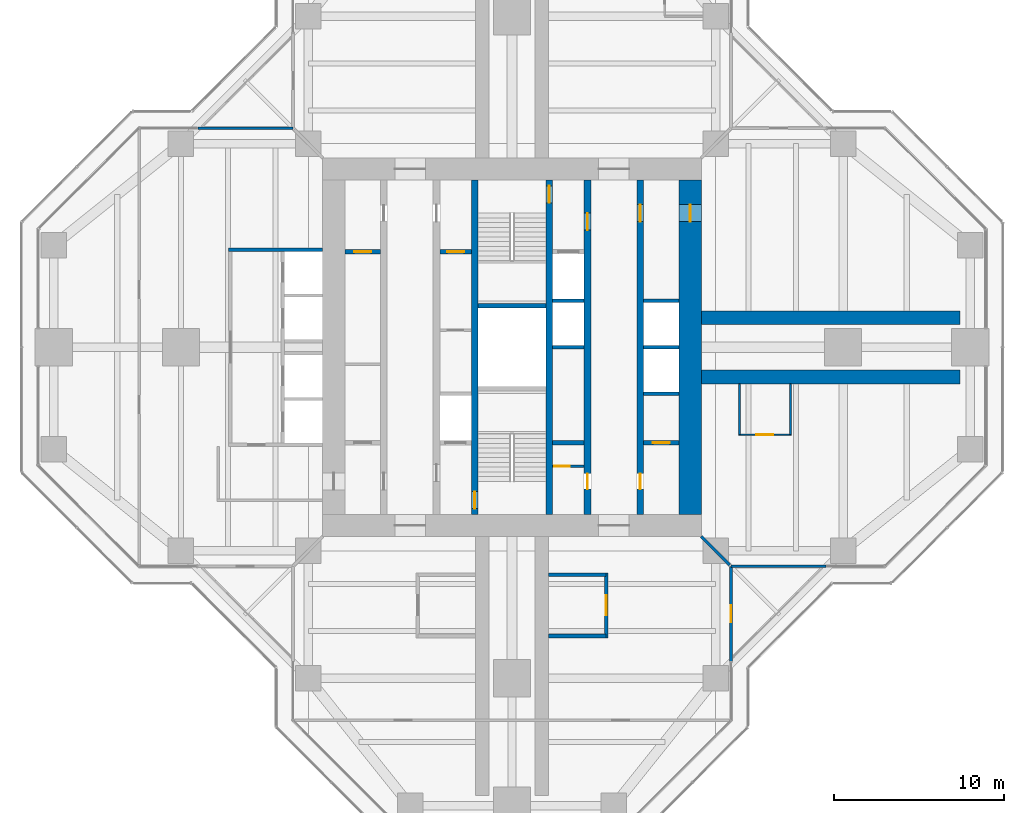
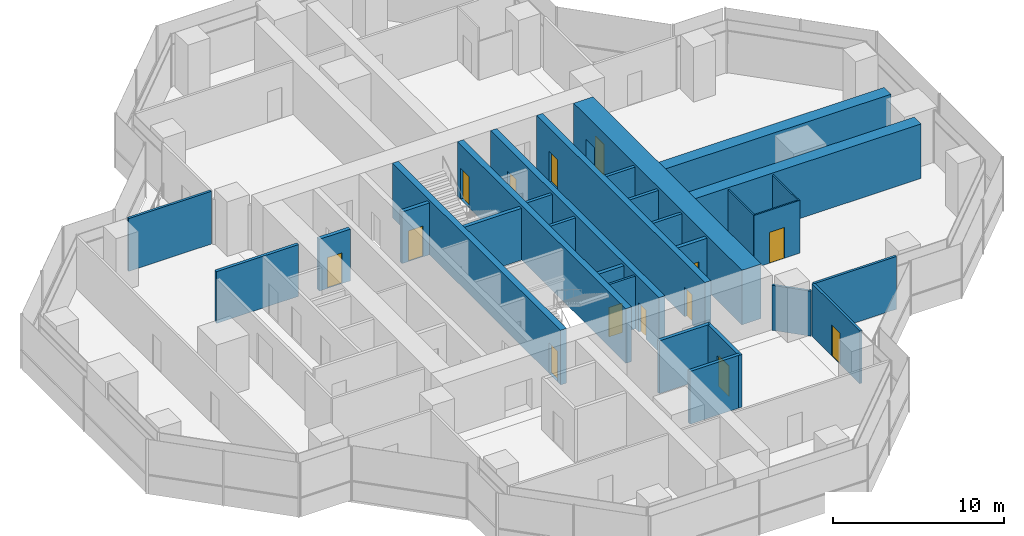
# One storey, part 14 of 17: 29 walls, 14 doors, 14 openings.
"""IFC4 building model written with IfcOpenShell, lengths in metres."""

from ifc_helpers import new_model, si_unit, direction, frame, frame_2d, origin, place, context, subcontext, project, spatial, rectangle, extrude, material, layer, layer_set, type_object, element, fill, save


model = new_model("IFC4")

# Units and contexts
model_context = context("Model", 3, precision=1e-05, world=origin(), true_north=direction((0.0, 1.0)))
body_context = subcontext(model_context, "Body", "Model", "MODEL_VIEW")
ifc_project = project(units=[si_unit("LENGTHUNIT", "METRE"), si_unit("AREAUNIT", "SQUARE_METRE"), si_unit("VOLUMEUNIT", "CUBIC_METRE"), si_unit("PLANEANGLEUNIT", "RADIAN"), si_unit("MASSUNIT", "GRAM", prefix="KILO")], contexts=[model_context])

# Site, building, storey
site_placement = place(None, origin())
site = spatial("IfcSite", under=ifc_project, at=site_placement, CompositionType="ELEMENT")
building_placement = place(site_placement, origin())
building = spatial("IfcBuilding", under=site, at=building_placement, Name="Mizan Broadcast Tower", CompositionType="ELEMENT")
storey_placement = place(building_placement, frame((0.0, 0.0, 216.60009765625)))
storey = spatial("IfcBuildingStorey", under=building, at=storey_placement, Name="L50", CompositionType="ELEMENT", Elevation=216.60009765625)

# Wall, openings, doors
ifc_material_1 = material(Name="Concrete C70/85", Category="concrete")
ifc_layer_1 = layer(ifc_material_1, 0.39990234375)
ifc_layer_set_1 = layer_set([ifc_layer_1], Name="Concrete C70/85")
wall_type_1 = type_object("IfcWallType", Name="CORE INTERNAL WALL 400", PredefinedType="SHEAR", material=ifc_layer_set_1)
wall_1_placement = place(storey_placement, frame((7.550048828125, 9.85009765625, 0.0), z_axis=(0.0, 0.0, 1.0), x_axis=(0.0, -1.0, 0.0)))
wall_1 = element("IfcWall", 1, at=wall_1_placement, inside=storey, type_object=wall_type_1, Name="Core wall CORE/XW1E", PredefinedType="SHEAR", context=body_context, shape_type="SweptSolid", body=[
    extrude(rectangle(XDim=19.7001953125, YDim=0.39990234375, at=frame_2d((9.85009765625, 0.0))), origin(), (0.0, 0.0, 1.0), 3.89990234375),
])
opening_1_placement = place(wall_1_placement, frame((1.449951171875, 0.0, 0.0)))
opening_1 = element("IfcOpeningElement", 2, at=opening_1_placement, cuts=wall_1, Name="Opening D10F", PredefinedType="OPENING", context=body_context, shape_type="SweptSolid", body=[
    extrude(rectangle(XDim=1.0, YDim=2.199951171875, at=frame_2d((0.5, 1.10009765625))), frame((0.0, 0.2099609375, 0.0), z_axis=(0.0, -1.0, 0.0), x_axis=(1.0, 0.0, 0.0)), (0.0, 0.0, 1.0), 0.419921875),
])
opening_2_placement = place(wall_1_placement, frame((17.300048828125, 0.0, 0.0)))
opening_2 = element("IfcOpeningElement", 3, at=opening_2_placement, cuts=wall_1, Name="Opening D09", PredefinedType="OPENING", context=body_context, shape_type="SweptSolid", body=[
    extrude(rectangle(XDim=0.89990234375, YDim=2.10009765625, at=frame_2d((0.449951171875, 1.050048828125))), frame((0.0, 0.2099609375, 0.0), z_axis=(0.0, -1.0, 0.0), x_axis=(1.0, 0.0, 0.0)), (0.0, 0.0, 1.0), 0.419921875),
])
ifc_material_2 = material(Name="Steel door leaf in steel frame", Category="steel")
door_type_1 = type_object("IfcDoorType", Name="FIRE DOOR 1000 FD90", OperationType="SINGLE_SWING_LEFT", PredefinedType="DOOR", material=ifc_material_2)
door_1_placement = place(opening_1_placement, origin())
door_1 = element("IfcDoor", 4, at=door_1_placement, inside=storey, type_object=door_type_1, Name="East core passage door", OperationType="SINGLE_SWING_LEFT", OverallHeight=2.199951171875, OverallWidth=1.0, PredefinedType="DOOR", context=body_context, shape_type="SweptSolid", body=[
    extrude(rectangle(XDim=1.0, YDim=2.199951171875, at=frame_2d((0.5, 1.10009765625))), frame((0.0, 0.02490234375, 0.0), z_axis=(0.0, -1.0, 0.0), x_axis=(1.0, 0.0, 0.0)), (0.0, 0.0, 1.0), 0.050048828125),
])
fill(opening_1, door_1)
ifc_material_3 = material(Name="Timber door leaf in aluminium frame", Category="wood")
door_type_2 = type_object("IfcDoorType", Name="TOILET DOOR 900", OperationType="SINGLE_SWING_LEFT", PredefinedType="DOOR", material=ifc_material_3)
door_2_placement = place(opening_2_placement, origin())
door_2 = element("IfcDoor", 5, at=door_2_placement, inside=storey, type_object=door_type_2, Name="Female WC door", OperationType="SINGLE_SWING_RIGHT", OverallHeight=2.10009765625, OverallWidth=0.89990234375, PredefinedType="DOOR", context=body_context, shape_type="SweptSolid", body=[
    extrude(rectangle(XDim=0.89990234375, YDim=2.10009765625, at=frame_2d((0.449951171875, 1.050048828125))), frame((0.0, 0.02490234375, 0.0), z_axis=(0.0, -1.0, 0.0), x_axis=(1.0, 0.0, 0.0)), (0.0, 0.0, 1.0), 0.050048828125),
])
fill(opening_2, door_2)

wall_2_placement = place(storey_placement, frame((4.449951171875, 9.85009765625, 0.0), z_axis=(0.0, 0.0, 1.0), x_axis=(0.0, -1.0, 0.0)))
wall_2 = element("IfcWall", 6, at=wall_2_placement, inside=storey, type_object=wall_type_1, Name="Core wall CORE/XWHE", PredefinedType="SHEAR", context=body_context, shape_type="SweptSolid", body=[
    extrude(rectangle(XDim=19.7001953125, YDim=0.39990234375, at=frame_2d((9.85009765625, 0.0))), origin(), (0.0, 0.0, 1.0), 3.89990234375),
])
opening_3_placement = place(wall_2_placement, frame((1.949951171875, 0.0, 0.0)))
opening_3 = element("IfcOpeningElement", 7, at=opening_3_placement, cuts=wall_2, Name="Opening D10F", PredefinedType="OPENING", context=body_context, shape_type="SweptSolid", body=[
    extrude(rectangle(XDim=1.0, YDim=2.199951171875, at=frame_2d((0.5, 1.10009765625))), frame((0.0, 0.2099609375, 0.0), z_axis=(0.0, -1.0, 0.0), x_axis=(1.0, 0.0, 0.0)), (0.0, 0.0, 1.0), 0.419921875),
])
opening_4_placement = place(wall_2_placement, frame((17.300048828125, 0.0, 0.0)))
opening_4 = element("IfcOpeningElement", 8, at=opening_4_placement, cuts=wall_2, Name="Opening D09", PredefinedType="OPENING", context=body_context, shape_type="SweptSolid", body=[
    extrude(rectangle(XDim=0.89990234375, YDim=2.10009765625, at=frame_2d((0.449951171875, 1.050048828125))), frame((0.0, 0.2099609375, 0.0), z_axis=(0.0, -1.0, 0.0), x_axis=(1.0, 0.0, 0.0)), (0.0, 0.0, 1.0), 0.419921875),
])
door_3_placement = place(opening_3_placement, origin())
door_3 = element("IfcDoor", 9, at=door_3_placement, inside=storey, type_object=door_type_1, Name="Firefighting lobby B door", OperationType="SINGLE_SWING_LEFT", OverallHeight=2.199951171875, OverallWidth=1.0, PredefinedType="DOOR", context=body_context, shape_type="SweptSolid", body=[
    extrude(rectangle(XDim=1.0, YDim=2.199951171875, at=frame_2d((0.5, 1.10009765625))), frame((0.0, 0.02490234375, 0.0), z_axis=(0.0, -1.0, 0.0), x_axis=(1.0, 0.0, 0.0)), (0.0, 0.0, 1.0), 0.050048828125),
])
fill(opening_3, door_3)
door_4_placement = place(opening_4_placement, origin())
door_4 = element("IfcDoor", 10, at=door_4_placement, inside=storey, type_object=door_type_2, Name="Cleaner's store door", OperationType="SINGLE_SWING_RIGHT", OverallHeight=2.10009765625, OverallWidth=0.89990234375, PredefinedType="DOOR", context=body_context, shape_type="SweptSolid", body=[
    extrude(rectangle(XDim=0.89990234375, YDim=2.10009765625, at=frame_2d((0.449951171875, 1.050048828125))), frame((0.0, 0.02490234375, 0.0), z_axis=(0.0, -1.0, 0.0), x_axis=(1.0, 0.0, 0.0)), (0.0, 0.0, 1.0), 0.050048828125),
])
fill(opening_4, door_4)

# Wall, opening, door
wall_3_placement = place(storey_placement, frame((-2.199951171875, -9.85009765625, 0.0), z_axis=(0.0, 0.0, 1.0), x_axis=(0.0, 1.0, 0.0)))
wall_3 = element("IfcWall", 11, at=wall_3_placement, inside=storey, type_object=wall_type_1, Name="Core wall CORE/XW2", PredefinedType="SHEAR", context=body_context, shape_type="SweptSolid", body=[
    extrude(rectangle(XDim=19.7001953125, YDim=0.39990234375, at=frame_2d((9.85009765625, 0.0))), origin(), (0.0, 0.0, 1.0), 3.89990234375),
])
opening_5_placement = place(wall_3_placement, frame((0.35009765625, 0.0, 0.0)))
opening_5 = element("IfcOpeningElement", 12, at=opening_5_placement, cuts=wall_3, Name="Opening D10S", PredefinedType="OPENING", context=body_context, shape_type="SweptSolid", body=[
    extrude(rectangle(XDim=1.0, YDim=2.199951171875, at=frame_2d((0.5, 1.10009765625))), frame((0.0, 0.2099609375, 0.0), z_axis=(0.0, -1.0, 0.0), x_axis=(1.0, 0.0, 0.0)), (0.0, 0.0, 1.0), 0.419921875),
])
ifc_material_4 = material(Name="Steel door leaf in steel frame", Category="steel")
door_type_3 = type_object("IfcDoorType", Name="STAIR DOOR 1000 FD90S", OperationType="SINGLE_SWING_RIGHT", PredefinedType="DOOR", material=ifc_material_4)
door_5_placement = place(opening_5_placement, origin())
door_5 = element("IfcDoor", 13, at=door_5_placement, inside=storey, type_object=door_type_3, Name="Stair A door", OperationType="SINGLE_SWING_RIGHT", OverallHeight=2.199951171875, OverallWidth=1.0, PredefinedType="DOOR", context=body_context, shape_type="SweptSolid", body=[
    extrude(rectangle(XDim=1.0, YDim=2.199951171875, at=frame_2d((0.5, 1.10009765625))), frame((0.0, 0.02490234375, 0.0), z_axis=(0.0, -1.0, 0.0), x_axis=(1.0, 0.0, 0.0)), (0.0, 0.0, 1.0), 0.050048828125),
])
fill(opening_5, door_5)

wall_4_placement = place(storey_placement, frame((2.199951171875, 9.85009765625, 0.0), z_axis=(0.0, 0.0, 1.0), x_axis=(0.0, -1.0, 0.0)))
wall_4 = element("IfcWall", 14, at=wall_4_placement, inside=storey, type_object=wall_type_1, Name="Core wall CORE/XW2E", PredefinedType="SHEAR", context=body_context, shape_type="SweptSolid", body=[
    extrude(rectangle(XDim=19.7001953125, YDim=0.39990234375, at=frame_2d((9.85009765625, 0.0))), origin(), (0.0, 0.0, 1.0), 3.89990234375),
])
opening_6_placement = place(wall_4_placement, frame((0.35009765625, 0.0, 0.0)))
opening_6 = element("IfcOpeningElement", 15, at=opening_6_placement, cuts=wall_4, Name="Opening D10S", PredefinedType="OPENING", context=body_context, shape_type="SweptSolid", body=[
    extrude(rectangle(XDim=1.0, YDim=2.199951171875, at=frame_2d((0.5, 1.10009765625))), frame((0.0, 0.2099609375, 0.0), z_axis=(0.0, -1.0, 0.0), x_axis=(1.0, 0.0, 0.0)), (0.0, 0.0, 1.0), 0.419921875),
])
door_6_placement = place(opening_6_placement, origin())
door_6 = element("IfcDoor", 16, at=door_6_placement, inside=storey, type_object=door_type_3, Name="Stair B door", OperationType="SINGLE_SWING_RIGHT", OverallHeight=2.199951171875, OverallWidth=1.0, PredefinedType="DOOR", context=body_context, shape_type="SweptSolid", body=[
    extrude(rectangle(XDim=1.0, YDim=2.199951171875, at=frame_2d((0.5, 1.10009765625))), frame((0.0, 0.02490234375, 0.0), z_axis=(0.0, -1.0, 0.0), x_axis=(1.0, 0.0, 0.0)), (0.0, 0.0, 1.0), 0.050048828125),
])
fill(opening_6, door_6)

ifc_material_5 = material(Name="Concrete blockwork", Category="masonry")
ifc_layer_2 = layer(ifc_material_5, 0.14990234375)
ifc_layer_set_2 = layer_set([ifc_layer_2], Name="Concrete blockwork")
wall_type_2 = type_object("IfcWallType", Name="CORE PARTITION 150", PredefinedType="SOLIDWALL", material=ifc_layer_set_2)
wall_5_placement = place(storey_placement, frame((2.39990234375, -7.0, 0.0), z_axis=(0.0, 0.0, 1.0), x_axis=(1.0, 0.0, 0.0)))
wall_5 = element("IfcWall", 17, at=wall_5_placement, inside=storey, type_object=wall_type_2, Name="Core partition CORE/XPC", PredefinedType="SOLIDWALL", context=body_context, shape_type="SweptSolid", body=[
    extrude(rectangle(XDim=1.85009765625, YDim=0.14990234375, at=frame_2d((0.925048828125, 0.0))), origin(), (0.0, 0.0, 1.0), 3.77001953125),
])
opening_7_placement = place(wall_5_placement, frame((0.10009765625, 0.0, 0.0)))
opening_7 = element("IfcOpeningElement", 18, at=opening_7_placement, cuts=wall_5, Name="Opening D09F", PredefinedType="OPENING", context=body_context, shape_type="SweptSolid", body=[
    extrude(rectangle(XDim=0.89990234375, YDim=2.10009765625, at=frame_2d((0.449951171875, 1.050048828125))), frame((0.0, 0.0849609375, 0.0), z_axis=(0.0, -1.0, 0.0), x_axis=(1.0, 0.0, 0.0)), (0.0, 0.0, 1.0), 0.169921875),
])
ifc_material_6 = material(Name="Steel door leaf in steel frame", Category="steel")
door_type_4 = type_object("IfcDoorType", Name="CORE ROOM DOOR 900 FD90", OperationType="SINGLE_SWING_LEFT", PredefinedType="DOOR", material=ifc_material_6)
door_7_placement = place(opening_7_placement, origin())
door_7 = element("IfcDoor", 19, at=door_7_placement, inside=storey, type_object=door_type_4, Name="Cleaning materials store door", OperationType="SINGLE_SWING_LEFT", OverallHeight=2.10009765625, OverallWidth=0.89990234375, PredefinedType="DOOR", context=body_context, shape_type="SweptSolid", body=[
    extrude(rectangle(XDim=0.89990234375, YDim=2.10009765625, at=frame_2d((0.449951171875, 1.050048828125))), frame((0.0, 0.02490234375, 0.0), z_axis=(0.0, -1.0, 0.0), x_axis=(1.0, 0.0, 0.0)), (0.0, 0.0, 1.0), 0.050048828125),
])
fill(opening_7, door_7)

ifc_material_7 = material(Name="Concrete C70/85", Category="concrete")
ifc_layer_3 = layer(ifc_material_7, 1.300048828125)
ifc_layer_set_3 = layer_set([ifc_layer_3], Name="Concrete C70/85")
wall_type_3 = type_object("IfcWallType", Name="CORE WALL 1300", PredefinedType="SHEAR", material=ifc_layer_set_3)
wall_6_placement = place(storey_placement, frame((10.5, -9.85009765625, 0.0), z_axis=(0.0, 0.0, 1.0), x_axis=(0.0, 1.0, 0.0)))
wall_6 = element("IfcWall", 20, at=wall_6_placement, inside=storey, type_object=wall_type_3, Name="Core wall E L50", PredefinedType="SHEAR", context=body_context, shape_type="SweptSolid", body=[
    extrude(rectangle(XDim=19.7001953125, YDim=1.300048828125, at=frame_2d((9.85009765625, 0.0))), origin(), (0.0, 0.0, 1.0), 3.89990234375),
])
opening_8_placement = place(wall_6_placement, frame((17.25, 0.0, 0.0)))
opening_8 = element("IfcOpeningElement", 21, at=opening_8_placement, cuts=wall_6, Name="Opening D10F", PredefinedType="OPENING", context=body_context, shape_type="SweptSolid", body=[
    extrude(rectangle(XDim=1.0, YDim=2.199951171875, at=frame_2d((0.5, 1.10009765625))), frame((0.0, 0.659912109375, 0.0), z_axis=(0.0, -1.0, 0.0), x_axis=(1.0, 0.0, 0.0)), (0.0, 0.0, 1.0), 1.320068359375),
])
door_8_placement = place(opening_8_placement, origin())
door_8 = element("IfcDoor", 22, at=door_8_placement, inside=storey, type_object=door_type_1, Name="East core passage arm door", OperationType="SINGLE_SWING_RIGHT", OverallHeight=2.199951171875, OverallWidth=1.0, PredefinedType="DOOR", context=body_context, shape_type="SweptSolid", body=[
    extrude(rectangle(XDim=1.0, YDim=2.199951171875, at=frame_2d((0.5, 1.10009765625))), frame((0.0, 0.02490234375, 0.0), z_axis=(0.0, -1.0, 0.0), x_axis=(1.0, 0.0, 0.0)), (0.0, 0.0, 1.0), 0.050048828125),
])
fill(opening_8, door_8)

# Walls
ifc_material_8 = material(Name="Aluminium framed glazed screen", Category="aluminium")
ifc_layer_4 = layer(ifc_material_8, 0.159912109375)
ifc_layer_set_4 = layer_set([ifc_layer_4], Name="Aluminium framed glazed screen")
wall_type_4 = type_object("IfcWallType", Name="GLAZED SCREEN WALL 160", PredefinedType="SOLIDWALL", material=ifc_layer_set_4)
for number, where, z_axis, x_axis, name in (
    (23, (12.89990234375, -12.89990234375, 0.0), (0.0, 0.0, 1.0), (1.0, 0.0, 0.0), "Winter garden screen L50 E"),
    (24, (-12.89990234375, 12.89990234375, 0.0), (0.0, 0.0, 1.0), (-1.0, 0.0, 0.0), "Winter garden screen L50 W"),
):
    element("IfcWall", number, at=place(storey_placement, frame(where, z_axis=z_axis, x_axis=x_axis)), inside=storey, type_object=wall_type_4, Name=name, PredefinedType="SOLIDWALL", context=body_context, shape_type="SweptSolid", body=[
        extrude(rectangle(XDim=5.60009765625, YDim=0.159912109375, at=frame_2d((2.800048828125, 0.0))), origin(), (0.0, 0.0, 1.0), 3.77001953125),
    ])

# Wall, opening, door
wall_7_placement = place(storey_placement, frame((12.89990234375, -18.5, 0.0), z_axis=(0.0, 0.0, 1.0), x_axis=(0.0, 1.0, 0.0)))
wall_7 = element("IfcWall", 25, at=wall_7_placement, inside=storey, type_object=wall_type_4, Name="Winter garden screen L50 S", PredefinedType="SOLIDWALL", context=body_context, shape_type="SweptSolid", body=[
    extrude(rectangle(XDim=5.60009765625, YDim=0.159912109375, at=frame_2d((2.800048828125, 0.0))), origin(), (0.0, 0.0, 1.0), 3.77001953125),
])
opening_9_placement = place(wall_7_placement, frame((2.300048828125, 0.0, 0.0)))
opening_9 = element("IfcOpeningElement", 26, at=opening_9_placement, cuts=wall_7, Name="Opening WGD", PredefinedType="OPENING", context=body_context, shape_type="SweptSolid", body=[
    extrude(rectangle(XDim=1.0, YDim=2.199951171875, at=frame_2d((0.5, 1.10009765625))), frame((0.0, 0.08984375, 0.0), z_axis=(0.0, -1.0, 0.0), x_axis=(1.0, 0.0, 0.0)), (0.0, 0.0, 1.0), 0.179931640625),
])
ifc_material_9 = material(Name="Aluminium framed glazed door", Category="aluminium")
door_type_5 = type_object("IfcDoorType", Name="WINTER GARDEN DOOR 1000 GLAZED", OperationType="SINGLE_SWING_LEFT", PredefinedType="DOOR", material=ifc_material_9)
door_9_placement = place(opening_9_placement, origin())
door_9 = element("IfcDoor", 27, at=door_9_placement, inside=storey, type_object=door_type_5, Name="Winter garden door L50 S", OperationType="SINGLE_SWING_RIGHT", OverallHeight=2.199951171875, OverallWidth=1.0, PredefinedType="DOOR", context=body_context, shape_type="SweptSolid", body=[
    extrude(rectangle(XDim=1.0, YDim=2.199951171875, at=frame_2d((0.5, 1.10009765625))), frame((0.0, 0.02490234375, 0.0), z_axis=(0.0, -1.0, 0.0), x_axis=(1.0, 0.0, 0.0)), (0.0, 0.0, 1.0), 0.050048828125),
])
fill(opening_9, door_9)

# Walls
ifc_material_10 = material(Name="Concrete blockwork", Category="masonry")
ifc_layer_5 = layer(ifc_material_10, 0.199951171875)
ifc_layer_set_5 = layer_set([ifc_layer_5], Name="Concrete blockwork")
wall_type_5 = type_object("IfcWallType", Name="LIFT SHAFT WALL 200", PredefinedType="SOLIDWALL", material=ifc_layer_set_5)
wall_8_placement = place(storey_placement, frame((7.75, -2.75, 0.0), z_axis=(0.0, 0.0, 1.0), x_axis=(1.0, 0.0, 0.0)))
element("IfcWall", 28, at=wall_8_placement, inside=storey, type_object=wall_type_5, Name="Lift shaft wall CORE/SE1-1", PredefinedType="SOLIDWALL", context=body_context, shape_type="SweptSolid", body=[
    extrude(rectangle(XDim=2.10009765625, YDim=0.199951171875, at=frame_2d((1.050048828125, 0.0))), origin(), (0.0, 0.0, 1.0), 3.699951171875),
])
wall_9_placement = place(storey_placement, frame((2.39990234375, 0.0, 0.0), z_axis=(0.0, 0.0, 1.0), x_axis=(1.0, 0.0, 0.0)))
element("IfcWall", 29, at=wall_9_placement, inside=storey, type_object=wall_type_5, Name="Lift shaft wall CORE/SE2-2", PredefinedType="SOLIDWALL", context=body_context, shape_type="SweptSolid", body=[
    extrude(rectangle(XDim=1.85009765625, YDim=0.199951171875, at=frame_2d((0.925048828125, 0.0))), origin(), (0.0, 0.0, 1.0), 3.699951171875),
])
wall_10_placement = place(storey_placement, frame((7.75, 0.0, 0.0), z_axis=(0.0, 0.0, 1.0), x_axis=(1.0, 0.0, 0.0)))
element("IfcWall", 30, at=wall_10_placement, inside=storey, type_object=wall_type_5, Name="Lift shaft wall CORE/SE1-2", PredefinedType="SOLIDWALL", context=body_context, shape_type="SweptSolid", body=[
    extrude(rectangle(XDim=2.10009765625, YDim=0.199951171875, at=frame_2d((1.050048828125, 0.0))), origin(), (0.0, 0.0, 1.0), 3.699951171875),
])
wall_11_placement = place(storey_placement, frame((2.39990234375, 2.75, 0.0), z_axis=(0.0, 0.0, 1.0), x_axis=(1.0, 0.0, 0.0)))
element("IfcWall", 31, at=wall_11_placement, inside=storey, type_object=wall_type_5, Name="Lift shaft wall CORE/SE2-3", PredefinedType="SOLIDWALL", context=body_context, shape_type="SweptSolid", body=[
    extrude(rectangle(XDim=1.85009765625, YDim=0.199951171875, at=frame_2d((0.925048828125, 0.0))), origin(), (0.0, 0.0, 1.0), 3.699951171875),
])
wall_12_placement = place(storey_placement, frame((7.75, 2.75, 0.0), z_axis=(0.0, 0.0, 1.0), x_axis=(1.0, 0.0, 0.0)))
element("IfcWall", 32, at=wall_12_placement, inside=storey, type_object=wall_type_5, Name="Lift shaft wall CORE/SE1-3", PredefinedType="SOLIDWALL", context=body_context, shape_type="SweptSolid", body=[
    extrude(rectangle(XDim=2.10009765625, YDim=0.199951171875, at=frame_2d((1.050048828125, 0.0))), origin(), (0.0, 0.0, 1.0), 3.699951171875),
])
wall_13_placement = place(storey_placement, frame((-11.14990234375, 5.75, 0.0), z_axis=(0.0, 0.0, 1.0), x_axis=(-1.0, 0.0, 0.0)))
element("IfcWall", 33, at=wall_13_placement, inside=storey, type_object=wall_type_5, Name="Lift shaft wall LC/S1", PredefinedType="SOLIDWALL", context=body_context, shape_type="SweptSolid", body=[
    extrude(rectangle(XDim=5.550048828125, YDim=0.199951171875, at=frame_2d((2.77490234375, 0.0))), origin(), (0.0, 0.0, 1.0), 3.699951171875),
])

# Wall, opening, door
ifc_material_11 = material(Name="Concrete blockwork", Category="masonry")
ifc_layer_6 = layer(ifc_material_11, 0.25)
ifc_layer_set_6 = layer_set([ifc_layer_6], Name="Concrete blockwork")
wall_type_6 = type_object("IfcWallType", Name="LOBBY ENCLOSURE WALL 250", PredefinedType="SOLIDWALL", material=ifc_layer_set_6)
wall_14_placement = place(storey_placement, frame((-9.85009765625, 5.625, 0.0), z_axis=(0.0, 0.0, 1.0), x_axis=(1.0, 0.0, 0.0)))
wall_14 = element("IfcWall", 34, at=wall_14_placement, inside=storey, type_object=wall_type_6, Name="Lobby enclosure wall CORE/BW1N", PredefinedType="SOLIDWALL", context=body_context, shape_type="SweptSolid", body=[
    extrude(rectangle(XDim=2.10009765625, YDim=0.25, at=frame_2d((1.050048828125, 0.0))), origin(), (0.0, 0.0, 1.0), 3.699951171875),
])
opening_10_placement = place(wall_14_placement, frame((0.550048828125, 0.0, 0.0)))
opening_10 = element("IfcOpeningElement", 35, at=opening_10_placement, cuts=wall_14, Name="Opening D10F", PredefinedType="OPENING", context=body_context, shape_type="SweptSolid", body=[
    extrude(rectangle(XDim=1.0, YDim=2.199951171875, at=frame_2d((0.5, 1.10009765625))), frame((0.0, 0.135009765625, 0.0), z_axis=(0.0, -1.0, 0.0), x_axis=(1.0, 0.0, 0.0)), (0.0, 0.0, 1.0), 0.27001953125),
])
door_10_placement = place(opening_10_placement, origin())
door_10 = element("IfcDoor", 36, at=door_10_placement, inside=storey, type_object=door_type_1, Name="Staff changing room door", OperationType="SINGLE_SWING_RIGHT", OverallHeight=2.199951171875, OverallWidth=1.0, PredefinedType="DOOR", context=body_context, shape_type="SweptSolid", body=[
    extrude(rectangle(XDim=1.0, YDim=2.199951171875, at=frame_2d((0.5, 1.10009765625))), frame((0.0, 0.02490234375, 0.0), z_axis=(0.0, -1.0, 0.0), x_axis=(1.0, 0.0, 0.0)), (0.0, 0.0, 1.0), 0.050048828125),
])
fill(opening_10, door_10)

wall_15_placement = place(storey_placement, frame((-4.25, 5.625, 0.0), z_axis=(0.0, 0.0, 1.0), x_axis=(1.0, 0.0, 0.0)))
wall_15 = element("IfcWall", 37, at=wall_15_placement, inside=storey, type_object=wall_type_6, Name="Lobby enclosure wall CORE/BW2N", PredefinedType="SOLIDWALL", context=body_context, shape_type="SweptSolid", body=[
    extrude(rectangle(XDim=1.85009765625, YDim=0.25, at=frame_2d((0.925048828125, 0.0))), origin(), (0.0, 0.0, 1.0), 3.699951171875),
])
opening_11_placement = place(wall_15_placement, frame((0.425048828125, 0.0, 0.0)))
opening_11 = element("IfcOpeningElement", 38, at=opening_11_placement, cuts=wall_15, Name="Opening D10F", PredefinedType="OPENING", context=body_context, shape_type="SweptSolid", body=[
    extrude(rectangle(XDim=1.0, YDim=2.199951171875, at=frame_2d((0.5, 1.10009765625))), frame((0.0, 0.135009765625, 0.0), z_axis=(0.0, -1.0, 0.0), x_axis=(1.0, 0.0, 0.0)), (0.0, 0.0, 1.0), 0.27001953125),
])
door_11_placement = place(opening_11_placement, origin())
door_11 = element("IfcDoor", 39, at=door_11_placement, inside=storey, type_object=door_type_1, Name="Baby change room door", OperationType="SINGLE_SWING_RIGHT", OverallHeight=2.199951171875, OverallWidth=1.0, PredefinedType="DOOR", context=body_context, shape_type="SweptSolid", body=[
    extrude(rectangle(XDim=1.0, YDim=2.199951171875, at=frame_2d((0.5, 1.10009765625))), frame((0.0, 0.02490234375, 0.0), z_axis=(0.0, -1.0, 0.0), x_axis=(1.0, 0.0, 0.0)), (0.0, 0.0, 1.0), 0.050048828125),
])
fill(opening_11, door_11)

# Wall
wall_16_placement = place(storey_placement, frame((2.39990234375, -5.625, 0.0), z_axis=(0.0, 0.0, 1.0), x_axis=(1.0, 0.0, 0.0)))
element("IfcWall", 40, at=wall_16_placement, inside=storey, type_object=wall_type_6, Name="Lobby enclosure wall CORE/BE2S", PredefinedType="SOLIDWALL", context=body_context, shape_type="SweptSolid", body=[
    extrude(rectangle(XDim=1.85009765625, YDim=0.25, at=frame_2d((0.925048828125, 0.0))), origin(), (0.0, 0.0, 1.0), 3.699951171875),
])

# Wall, opening, door
wall_17_placement = place(storey_placement, frame((7.75, -5.625, 0.0), z_axis=(0.0, 0.0, 1.0), x_axis=(1.0, 0.0, 0.0)))
wall_17 = element("IfcWall", 41, at=wall_17_placement, inside=storey, type_object=wall_type_6, Name="Lobby enclosure wall CORE/BE1S", PredefinedType="SOLIDWALL", context=body_context, shape_type="SweptSolid", body=[
    extrude(rectangle(XDim=2.10009765625, YDim=0.25, at=frame_2d((1.050048828125, 0.0))), origin(), (0.0, 0.0, 1.0), 3.699951171875),
])
opening_12_placement = place(wall_17_placement, frame((0.550048828125, 0.0, 0.0)))
opening_12 = element("IfcOpeningElement", 42, at=opening_12_placement, cuts=wall_17, Name="Opening D10F", PredefinedType="OPENING", context=body_context, shape_type="SweptSolid", body=[
    extrude(rectangle(XDim=1.0, YDim=2.199951171875, at=frame_2d((0.5, 1.10009765625))), frame((0.0, 0.135009765625, 0.0), z_axis=(0.0, -1.0, 0.0), x_axis=(1.0, 0.0, 0.0)), (0.0, 0.0, 1.0), 0.27001953125),
])
door_12_placement = place(opening_12_placement, origin())
door_12 = element("IfcDoor", 43, at=door_12_placement, inside=storey, type_object=door_type_1, Name="Staff changing room door", OperationType="SINGLE_SWING_LEFT", OverallHeight=2.199951171875, OverallWidth=1.0, PredefinedType="DOOR", context=body_context, shape_type="SweptSolid", body=[
    extrude(rectangle(XDim=1.0, YDim=2.199951171875, at=frame_2d((0.5, 1.10009765625))), frame((0.0, 0.02490234375, 0.0), z_axis=(0.0, -1.0, 0.0), x_axis=(1.0, 0.0, 0.0)), (0.0, 0.0, 1.0), 0.050048828125),
])
fill(opening_12, door_12)

# Walls
wall_18_placement = place(storey_placement, frame((-2.0, 2.449951171875, 0.0), z_axis=(0.0, 0.0, 1.0), x_axis=(1.0, 0.0, 0.0)))
element("IfcWall", 44, at=wall_18_placement, inside=storey, type_object=wall_type_6, Name="Lobby enclosure wall CORE/STB", PredefinedType="SOLIDWALL", context=body_context, shape_type="SweptSolid", body=[
    extrude(rectangle(XDim=4.0, YDim=0.25, at=frame_2d((2.0, 0.0))), origin(), (0.0, 0.0, 1.0), 3.699951171875),
])
ifc_material_12 = material(Name="Gypsum board on steel studs", Category="steel")
ifc_layer_7 = layer(ifc_material_12, 0.14990234375)
ifc_layer_set_7 = layer_set([ifc_layer_7], Name="Gypsum board on steel studs")
wall_type_7 = type_object("IfcWallType", Name="PARTITION 150", PredefinedType="PARTITIONING", material=ifc_layer_set_7)
wall_19_placement = place(storey_placement, frame((11.14990234375, -11.14990234375, 0.0), z_axis=(0.0, 0.0, 1.0), x_axis=(0.707106781187, -0.707106781187, 0.0)))
element("IfcWall", 45, at=wall_19_placement, inside=storey, type_object=wall_type_7, Name="Partition PT/DGES", PredefinedType="PARTITIONING", context=body_context, shape_type="SweptSolid", body=[
    extrude(rectangle(XDim=2.362060546875, YDim=0.14990234375, at=frame_2d((1.18115234375, 0.0))), origin(), (0.0, 0.0, 1.0), 3.219970703125),
])
ifc_material_13 = material(Name="Twin steel stud acoustic partition, four layers of gypsum board", Category="steel")
ifc_layer_8 = layer(ifc_material_13, 0.22509765625)
ifc_layer_set_8 = layer_set([ifc_layer_8], Name="Twin steel stud acoustic partition, four layers of gypsum board")
wall_type_8 = type_object("IfcWallType", Name="PARTITION ACOUSTIC 225", PredefinedType="PARTITIONING", material=ifc_layer_set_8)
for number, where, z_axis, x_axis, name in (
    (46, (2.14990234375, -13.39990234375, 0.0), (0.0, 0.0, 1.0), (1.0, 0.0, 0.0), "Acoustic partition PT/SKP0a"),
    (47, (2.14990234375, -17.0, 0.0), (0.0, 0.0, 1.0), (1.0, 0.0, 0.0), "Acoustic partition PT/SKP0b"),
):
    element("IfcWall", number, at=place(storey_placement, frame(where, z_axis=z_axis, x_axis=x_axis)), inside=storey, type_object=wall_type_8, Name=name, PredefinedType="PARTITIONING", context=body_context, shape_type="SweptSolid", body=[
        extrude(rectangle(XDim=3.400146484375, YDim=0.22509765625, at=frame_2d((1.7001953125, 0.0))), origin(), (0.0, 0.0, 1.0), 3.77001953125),
    ])

# Wall, opening, door
wall_20_placement = place(storey_placement, frame((5.550048828125, -13.28759765625, 0.0), z_axis=(0.0, 0.0, 1.0), x_axis=(0.0, -1.0, 0.0)))
wall_20 = element("IfcWall", 48, at=wall_20_placement, inside=storey, type_object=wall_type_8, Name="Acoustic partition PT/SKP0f", PredefinedType="PARTITIONING", context=body_context, shape_type="SweptSolid", body=[
    extrude(rectangle(XDim=3.824951171875, YDim=0.22509765625, at=frame_2d((1.91259765625, 0.0))), origin(), (0.0, 0.0, 1.0), 3.77001953125),
])
opening_13_placement = place(wall_20_placement, frame((1.3125, 0.0, 0.0)))
opening_13 = element("IfcOpeningElement", 49, at=opening_13_placement, cuts=wall_20, Name="Opening D12A", PredefinedType="OPENING", context=body_context, shape_type="SweptSolid", body=[
    extrude(rectangle(XDim=1.199951171875, YDim=2.199951171875, at=frame_2d((0.60009765625, 1.10009765625))), frame((0.0, 0.12255859375, 0.0), z_axis=(0.0, -1.0, 0.0), x_axis=(1.0, 0.0, 0.0)), (0.0, 0.0, 1.0), 0.2451171875),
])
ifc_material_14 = material(Name="Timber door leaf in aluminium frame", Category="wood")
door_type_6 = type_object("IfcDoorType", Name="ACOUSTIC DOOR 1200", OperationType="SINGLE_SWING_LEFT", PredefinedType="DOOR", material=ifc_material_14)
door_13_placement = place(opening_13_placement, origin())
door_13 = element("IfcDoor", 50, at=door_13_placement, inside=storey, type_object=door_type_6, Name="Edit suite door", OperationType="SINGLE_SWING_LEFT", OverallHeight=2.199951171875, OverallWidth=1.199951171875, PredefinedType="DOOR", context=body_context, shape_type="SweptSolid", body=[
    extrude(rectangle(XDim=1.199951171875, YDim=2.199951171875, at=frame_2d((0.60009765625, 1.10009765625))), frame((0.0, 0.02490234375, 0.0), z_axis=(0.0, -1.0, 0.0), x_axis=(1.0, 0.0, 0.0)), (0.0, 0.0, 1.0), 0.050048828125),
])
fill(opening_13, door_13)

# Walls
ifc_material_15 = material(Name="Glazed aluminium partition on aluminium track", Category="aluminium")
ifc_layer_9 = layer(ifc_material_15, 0.10009765625)
ifc_layer_set_9 = layer_set([ifc_layer_9], Name="Glazed aluminium partition on aluminium track")
wall_type_9 = type_object("IfcWallType", Name="PARTITION GLAZED OFFICE FRONT 100", PredefinedType="PARTITIONING", material=ifc_layer_set_9)
for number, where, z_axis, x_axis, name in (
    (51, (13.39990234375, -2.14990234375, 0.0), (0.0, 0.0, 1.0), (0.0, -1.0, 0.0), "Glazed office front PT/EKN0a"),
    (52, (16.39990234375, -2.14990234375, 0.0), (0.0, 0.0, 1.0), (0.0, -1.0, 0.0), "Glazed office front PT/EKN0b"),
):
    element("IfcWall", number, at=place(storey_placement, frame(where, z_axis=z_axis, x_axis=x_axis)), inside=storey, type_object=wall_type_9, Name=name, PredefinedType="PARTITIONING", context=body_context, shape_type="SweptSolid", body=[
        extrude(rectangle(XDim=3.0, YDim=0.10009765625, at=frame_2d((1.5, 0.0))), origin(), (0.0, 0.0, 1.0), 3.77001953125),
    ])

# Wall, opening, door
wall_21_placement = place(storey_placement, frame((13.35009765625, -5.14990234375, 0.0), z_axis=(0.0, 0.0, 1.0), x_axis=(1.0, 0.0, 0.0)))
wall_21 = element("IfcWall", 53, at=wall_21_placement, inside=storey, type_object=wall_type_9, Name="Glazed office front PT/EKN0f", PredefinedType="PARTITIONING", context=body_context, shape_type="SweptSolid", body=[
    extrude(rectangle(XDim=3.099853515625, YDim=0.10009765625, at=frame_2d((1.5498046875, 0.0))), origin(), (0.0, 0.0, 1.0), 3.77001953125),
])
opening_14_placement = place(wall_21_placement, frame((1.050048828125, 0.0, 0.0)))
opening_14 = element("IfcOpeningElement", 54, at=opening_14_placement, cuts=wall_21, Name="Opening D10O", PredefinedType="OPENING", context=body_context, shape_type="SweptSolid", body=[
    extrude(rectangle(XDim=1.0, YDim=2.199951171875, at=frame_2d((0.5, 1.10009765625))), frame((0.0, 0.06005859375, 0.0), z_axis=(0.0, -1.0, 0.0), x_axis=(1.0, 0.0, 0.0)), (0.0, 0.0, 1.0), 0.1201171875),
])
ifc_material_16 = material(Name="Timber door leaf in aluminium frame", Category="wood")
door_type_7 = type_object("IfcDoorType", Name="OFFICE DOOR 1000 GLAZED", OperationType="SINGLE_SWING_LEFT", PredefinedType="DOOR", material=ifc_material_16)
door_14_placement = place(opening_14_placement, origin())
door_14 = element("IfcDoor", 55, at=door_14_placement, inside=storey, type_object=door_type_7, Name="Pantry door", OperationType="SINGLE_SWING_LEFT", OverallHeight=2.199951171875, OverallWidth=1.0, PredefinedType="DOOR", context=body_context, shape_type="SweptSolid", body=[
    extrude(rectangle(XDim=1.0, YDim=2.199951171875, at=frame_2d((0.5, 1.10009765625))), frame((0.0, 0.02490234375, 0.0), z_axis=(0.0, -1.0, 0.0), x_axis=(1.0, 0.0, 0.0)), (0.0, 0.0, 1.0), 0.050048828125),
])
fill(opening_14, door_14)

# Walls
ifc_material_17 = material(Name="Concrete C70/85", Category="concrete")
ifc_layer_10 = layer(ifc_material_17, 0.800048828125)
ifc_layer_set_10 = layer_set([ifc_layer_10], Name="Concrete C70/85")
wall_type_10 = type_object("IfcWallType", Name="SPINE WALL 800", PredefinedType="SHEAR", material=ifc_layer_set_10)
for number, where, z_axis, x_axis, name in (
    (56, (11.14990234375, -1.75, 0.0), (0.0, 0.0, 1.0), (1.0, 0.0, 0.0), "Spine wall ER L50"),
    (57, (11.14990234375, 1.75, 0.0), (0.0, 0.0, 1.0), (1.0, 0.0, 0.0), "Spine wall EL L50"),
):
    element("IfcWall", number, at=place(storey_placement, frame(where, z_axis=z_axis, x_axis=x_axis)), inside=storey, type_object=wall_type_10, Name=name, PredefinedType="SHEAR", context=body_context, shape_type="SweptSolid", body=[
        extrude(rectangle(XDim=15.25, YDim=0.800048828125, at=frame_2d((7.625, 0.0))), origin(), (0.0, 0.0, 1.0), 3.89990234375),
    ])

save(model, "model.ifc")
